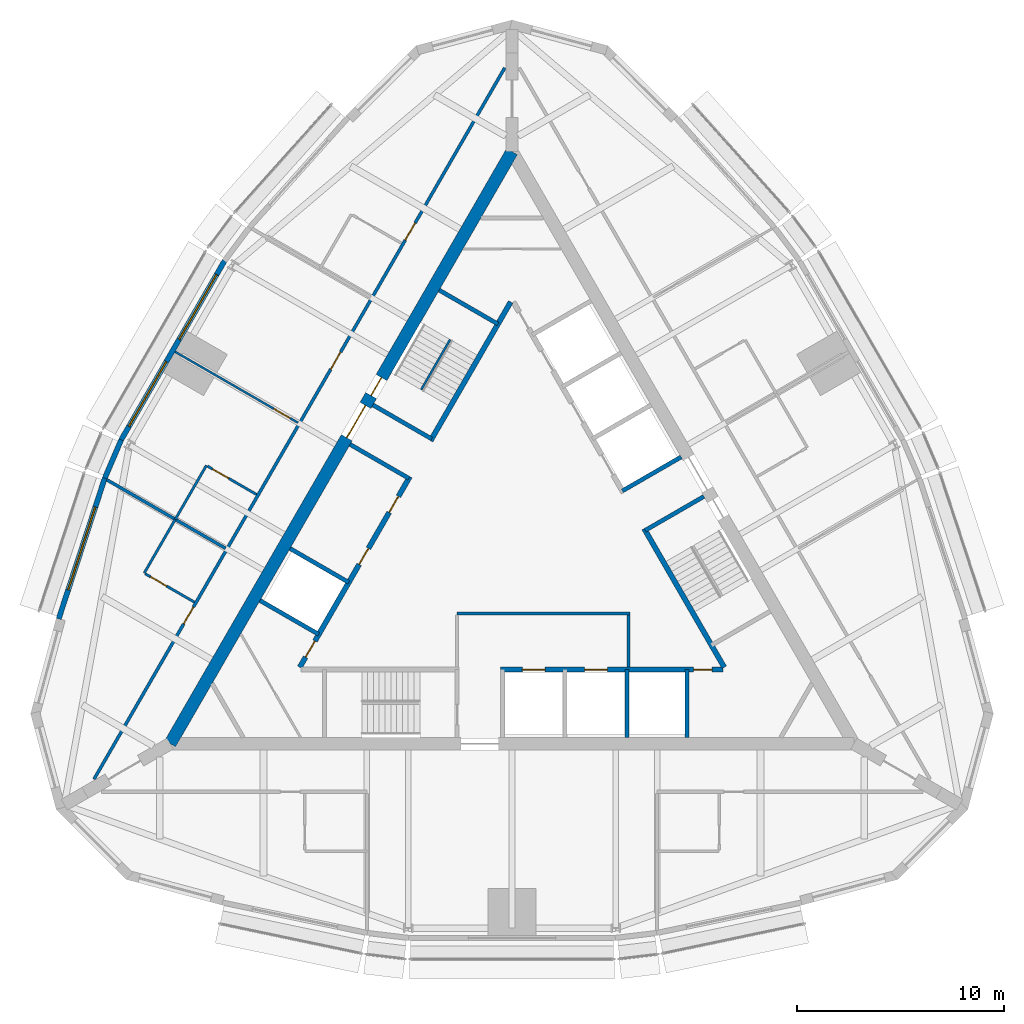
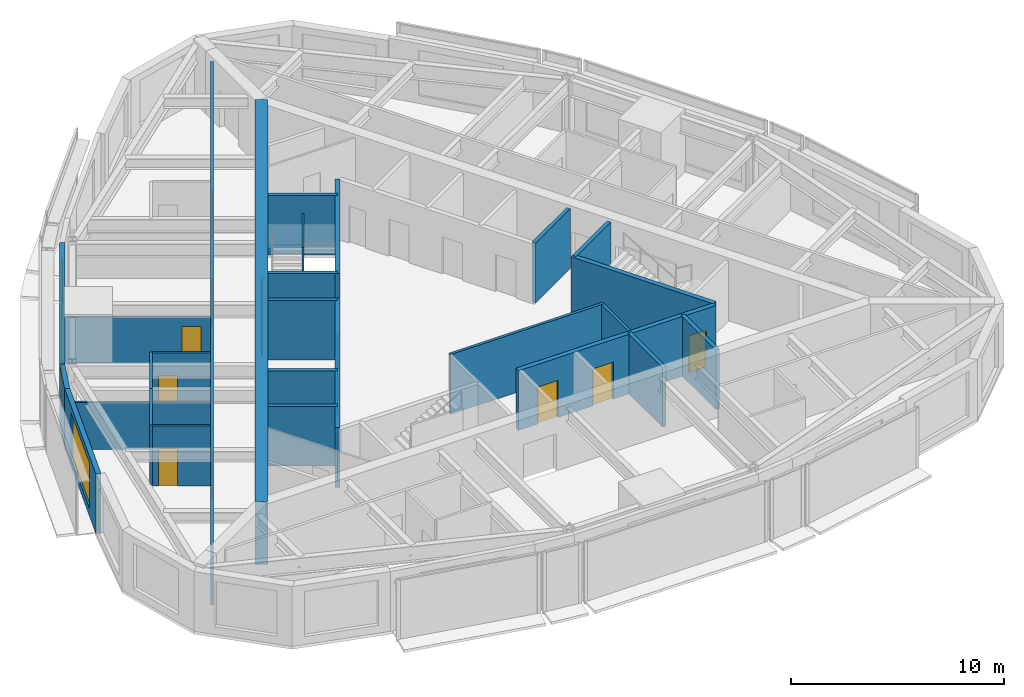
# One storey, part 8 of 12: 27 walls, 14 doors, 3 windows, 17 openings.
"""IFC4 building model written with IfcOpenShell, lengths in metres."""

from ifc_helpers import new_model, si_unit, direction, frame, frame_2d, origin, place, context, subcontext, project, spatial, rectangle, extrude, material, layer, layer_set, type_object, element, fill, save


model = new_model("IFC4")

# Units and contexts
model_context = context("Model", 3, precision=1e-05, world=origin(), true_north=direction((0.0, 1.0)))
body_context = subcontext(model_context, "Body", "Model", "MODEL_VIEW")
ifc_project = project(units=[si_unit("LENGTHUNIT", "METRE"), si_unit("AREAUNIT", "SQUARE_METRE"), si_unit("VOLUMEUNIT", "CUBIC_METRE"), si_unit("PLANEANGLEUNIT", "RADIAN"), si_unit("MASSUNIT", "GRAM", prefix="KILO")], contexts=[model_context])

# Site, building, storey
site_placement = place(None, origin())
site = spatial("IfcSite", under=ifc_project, at=site_placement, CompositionType="ELEMENT")
building_placement = place(site_placement, origin())
building = spatial("IfcBuilding", under=site, at=building_placement, Name="Trikona Tower", CompositionType="ELEMENT")
storey_placement = place(building_placement, frame((0.0, 0.0, 257.300048828125)))
storey = spatial("IfcBuildingStorey", under=building, at=storey_placement, Name="L68", CompositionType="ELEMENT", Elevation=257.300048828125)

# Wall
ifc_material_1 = material(Name="Metal stud and cement board", Category="gypsum")
ifc_layer_1 = layer(ifc_material_1, 0.1201171875)
ifc_layer_set_1 = layer_set([ifc_layer_1], Name="Bathroom wall 120")
wall_type_1 = type_object("IfcWallType", Name="Bathroom wall 120", PredefinedType="PLUMBINGWALL", material=ifc_layer_set_1)
wall_1_placement = place(storey_placement, frame((-14.75341796875, 3.89892578125, 0.0), z_axis=(0.0, 0.0, 1.0), x_axis=(-0.50002537861, -0.866010750942, 0.0)))
element("IfcWall", 1, at=wall_1_placement, inside=storey, type_object=wall_type_1, Name="Bathroom wall 6806.1", PredefinedType="PLUMBINGWALL", context=body_context, shape_type="SweptSolid", body=[
    extrude(rectangle(XDim=2.999755859375, YDim=0.1201171875, at=frame_2d((1.5, 0.0))), origin(), (0.0, 0.0, 1.0), 3.43505859375),
])

# Wall, opening, door
wall_2_placement = place(storey_placement, frame((-12.32861328125, 2.4990234375, 0.0), z_axis=(0.0, 0.0, 1.0), x_axis=(-0.866035715982, 0.499982138324, 0.0)))
wall_2 = element("IfcWall", 2, at=wall_2_placement, inside=storey, type_object=wall_type_1, Name="Bathroom wall 6806.1", PredefinedType="PLUMBINGWALL", context=body_context, shape_type="SweptSolid", body=[
    extrude(rectangle(XDim=2.73974609375, YDim=0.1201171875, at=frame_2d((1.369873046875, 0.0))), origin(), (0.0, 0.0, 1.0), 3.43505859375),
])
opening_1_placement = place(wall_2_placement, frame((1.550048828125, 0.0, 0.0)))
opening_1 = element("IfcOpeningElement", 3, at=opening_1_placement, cuts=wall_2, Name="Opening D2", PredefinedType="OPENING", context=body_context, shape_type="SweptSolid", body=[
    extrude(rectangle(XDim=0.89990234375, YDim=2.1298828125, at=frame_2d((0.449951171875, 1.06494140625))), frame((0.0, 0.070068359375, 0.0), z_axis=(0.0, -1.0, 0.0), x_axis=(1.0, 0.0, 0.0)), (0.0, 0.0, 1.0), 0.14013671875),
])
ifc_material_2 = material(Name="Steel door frame with solid-core timber leaf", Category="steel")
door_type_1 = type_object("IfcDoorType", Name="Bathroom door 900x2130", OperationType="SLIDING_TO_LEFT", PredefinedType="DOOR", material=ifc_material_2)
door_1_placement = place(opening_1_placement, origin())
door_1 = element("IfcDoor", 4, at=door_1_placement, inside=storey, type_object=door_type_1, Name="Bathroom door 6806.1", OperationType="SLIDING_TO_LEFT", OverallHeight=2.1298828125, OverallWidth=0.89990234375, PredefinedType="DOOR", context=body_context, shape_type="SweptSolid", body=[
    extrude(rectangle(XDim=0.89990234375, YDim=2.1298828125, at=frame_2d((0.449951171875, 1.06494140625))), frame((0.0, 0.02490234375, 0.0), z_axis=(0.0, -1.0, 0.0), x_axis=(1.0, 0.0, 0.0)), (0.0, 0.0, 1.0), 0.050048828125),
])
fill(opening_1, door_1)

# Wall
wall_3_placement = place(storey_placement, frame((-16.25341796875, 1.301025390625, 0.0), z_axis=(0.0, 0.0, 1.0), x_axis=(-0.499990139034, -0.866031096941, 0.0)))
element("IfcWall", 5, at=wall_3_placement, inside=storey, type_object=wall_type_1, Name="Bathroom wall 6807", PredefinedType="PLUMBINGWALL", context=body_context, shape_type="SweptSolid", body=[
    extrude(rectangle(XDim=3.0, YDim=0.1201171875, at=frame_2d((1.5, 0.0))), origin(), (0.0, 0.0, 1.0), 3.43505859375),
])

# Wall, opening, door
wall_4_placement = place(storey_placement, frame((-15.32861328125, -2.697021484375, 0.0), z_axis=(0.0, 0.0, 1.0), x_axis=(-0.866035715982, 0.499982138324, 0.0)))
wall_4 = element("IfcWall", 6, at=wall_4_placement, inside=storey, type_object=wall_type_1, Name="Bathroom wall 6807", PredefinedType="PLUMBINGWALL", context=body_context, shape_type="SweptSolid", body=[
    extrude(rectangle(XDim=2.73974609375, YDim=0.1201171875, at=frame_2d((1.369873046875, 0.0))), origin(), (0.0, 0.0, 1.0), 3.43505859375),
])
opening_2_placement = place(wall_4_placement, frame((1.550048828125, 0.0, 0.0)))
opening_2 = element("IfcOpeningElement", 7, at=opening_2_placement, cuts=wall_4, Name="Opening D2", PredefinedType="OPENING", context=body_context, shape_type="SweptSolid", body=[
    extrude(rectangle(XDim=0.89990234375, YDim=2.1298828125, at=frame_2d((0.449951171875, 1.06494140625))), frame((0.0, 0.070068359375, 0.0), z_axis=(0.0, -1.0, 0.0), x_axis=(1.0, 0.0, 0.0)), (0.0, 0.0, 1.0), 0.14013671875),
])
door_2_placement = place(opening_2_placement, origin())
door_2 = element("IfcDoor", 8, at=door_2_placement, inside=storey, type_object=door_type_1, Name="Bathroom door 6807", OperationType="SLIDING_TO_LEFT", OverallHeight=2.1298828125, OverallWidth=0.89990234375, PredefinedType="DOOR", context=body_context, shape_type="SweptSolid", body=[
    extrude(rectangle(XDim=0.89990234375, YDim=2.1298828125, at=frame_2d((0.449951171875, 1.06494140625))), frame((0.0, 0.02490234375, 0.0), z_axis=(0.0, -1.0, 0.0), x_axis=(1.0, 0.0, 0.0)), (0.0, 0.0, 1.0), 0.050048828125),
])
fill(opening_2, door_2)

# Wall, openings, doors
ifc_material_3 = material(Name="Concrete f'c 10000 psi", Category="concrete")
ifc_layer_2 = layer(ifc_material_3, 0.60009765625)
ifc_layer_set_2 = layer_set([ifc_layer_2], Name="Core wall 600")
wall_type_2 = type_object("IfcWallType", Name="Core wall 600", PredefinedType="SHEAR", material=ifc_layer_set_2)
wall_5_placement = place(storey_placement, frame((0.0, 19.052490234375, 0.0), z_axis=(0.0, 0.0, 1.0), x_axis=(-0.499999749417, -0.866025548458, 0.0)))
wall_5 = element("IfcWall", 9, at=wall_5_placement, inside=storey, type_object=wall_type_2, Name="Core wall C", PredefinedType="SHEAR", context=body_context, shape_type="SweptSolid", body=[
    extrude(rectangle(XDim=33.0, YDim=0.60009765625, at=frame_2d((16.5, 0.0))), origin(), (0.0, 0.0, 1.0), 3.599853515625),
])
opening_3_placement = place(wall_5_placement, frame((14.14990234375, 0.0, 0.0)))
opening_3 = element("IfcOpeningElement", 10, at=opening_3_placement, cuts=wall_5, Name="Opening D6", PredefinedType="OPENING", context=body_context, shape_type="SweptSolid", body=[
    extrude(rectangle(XDim=1.800048828125, YDim=2.1298828125, at=frame_2d((0.89990234375, 1.06494140625))), frame((0.0, 0.31005859375, 0.0), z_axis=(0.0, -1.0, 0.0), x_axis=(1.0, 0.0, 0.0)), (0.0, 0.0, 1.0), 0.6201171875),
])
opening_4_placement = place(wall_5_placement, frame((12.60009765625, 0.0, 0.0)))
opening_4 = element("IfcOpeningElement", 11, at=opening_4_placement, cuts=wall_5, Name="Opening D5", PredefinedType="OPENING", context=body_context, shape_type="SweptSolid", body=[
    extrude(rectangle(XDim=1.0, YDim=2.1298828125, at=frame_2d((0.5, 1.06494140625))), frame((0.0, 0.31005859375, 0.0), z_axis=(0.0, -1.0, 0.0), x_axis=(1.0, 0.0, 0.0)), (0.0, 0.0, 1.0), 0.6201171875),
])
ifc_material_4 = material(Name="Hollow metal door and frame", Category="steel")
door_type_2 = type_object("IfcDoorType", Name="Lobby door pair 1800x2130", OperationType="DOUBLE_DOOR_SINGLE_SWING", PredefinedType="DOOR", material=ifc_material_4)
door_3_placement = place(opening_3_placement, origin())
door_3 = element("IfcDoor", 12, at=door_3_placement, inside=storey, type_object=door_type_2, Name="Lift lobby door C", OperationType="DOUBLE_DOOR_SINGLE_SWING", OverallHeight=2.1298828125, OverallWidth=1.800048828125, PredefinedType="DOOR", context=body_context, shape_type="SweptSolid", body=[
    extrude(rectangle(XDim=1.800048828125, YDim=2.1298828125, at=frame_2d((0.89990234375, 1.06494140625))), frame((0.0, 0.02490234375, 0.0), z_axis=(0.0, -1.0, 0.0), x_axis=(1.0, 0.0, 0.0)), (0.0, 0.0, 1.0), 0.050048828125),
])
fill(opening_3, door_3)
ifc_material_5 = material(Name="Hollow metal door and frame", Category="steel")
door_type_3 = type_object("IfcDoorType", Name="Stair door 1000x2130", OperationType="SINGLE_SWING_LEFT", PredefinedType="DOOR", material=ifc_material_5)
door_4_placement = place(opening_4_placement, origin())
door_4 = element("IfcDoor", 13, at=door_4_placement, inside=storey, type_object=door_type_3, Name="Stair C door", OperationType="SINGLE_SWING_RIGHT", OverallHeight=2.1298828125, OverallWidth=1.0, PredefinedType="DOOR", context=body_context, shape_type="SweptSolid", body=[
    extrude(rectangle(XDim=1.0, YDim=2.1298828125, at=frame_2d((0.5, 1.06494140625))), frame((0.0, 0.02490234375, 0.0), z_axis=(0.0, -1.0, 0.0), x_axis=(1.0, 0.0, 0.0)), (0.0, 0.0, 1.0), 0.050048828125),
])
fill(opening_4, door_4)

ifc_material_6 = material(Name="Metal stud and gypsum board, 1-hour", Category="gypsum")
ifc_layer_3 = layer(ifc_material_6, 0.14990234375)
ifc_layer_set_3 = layer_set([ifc_layer_3], Name="Corridor wall 150")
wall_type_3 = type_object("IfcWallType", Name="Corridor wall 150", PredefinedType="PARTITIONING", material=ifc_layer_set_3)
wall_6_placement = place(storey_placement, frame((-0.35009765625, 23.09619140625, 0.0), z_axis=(0.0, 0.0, 1.0), x_axis=(-0.499998875317, -0.866026053119, 0.0)))
wall_6 = element("IfcWall", 14, at=wall_6_placement, inside=storey, type_object=wall_type_3, Name="Corridor wall L68-3", PredefinedType="PARTITIONING", context=body_context, shape_type="SweptSolid", body=[
    extrude(rectangle(XDim=39.65380859375, YDim=0.14990234375, at=frame_2d((19.826904296875, 0.0))), origin(), (0.0, 0.0, 1.0), 3.43505859375),
])
opening_5_placement = place(wall_6_placement, frame((8.652099609375, 0.0, 0.0)))
opening_5 = element("IfcOpeningElement", 15, at=opening_5_placement, cuts=wall_6, Name="Opening D1", PredefinedType="OPENING", context=body_context, shape_type="SweptSolid", body=[
    extrude(rectangle(XDim=0.949951171875, YDim=2.1298828125, at=frame_2d((0.47509765625, 1.06494140625))), frame((0.0, 0.0849609375, 0.0), z_axis=(0.0, -1.0, 0.0), x_axis=(1.0, 0.0, 0.0)), (0.0, 0.0, 1.0), 0.169921875),
])
opening_6_placement = place(wall_6_placement, frame((15.85205078125, 0.0, 0.0)))
opening_6 = element("IfcOpeningElement", 16, at=opening_6_placement, cuts=wall_6, Name="Opening D1", PredefinedType="OPENING", context=body_context, shape_type="SweptSolid", body=[
    extrude(rectangle(XDim=0.949951171875, YDim=2.1298828125, at=frame_2d((0.47509765625, 1.06494140625))), frame((0.0, 0.0849609375, 0.0), z_axis=(0.0, -1.0, 0.0), x_axis=(1.0, 0.0, 0.0)), (0.0, 0.0, 1.0), 0.169921875),
])
opening_7_placement = place(wall_6_placement, frame((30.052001953125, 0.0, 0.0)))
opening_7 = element("IfcOpeningElement", 17, at=opening_7_placement, cuts=wall_6, Name="Opening D1", PredefinedType="OPENING", context=body_context, shape_type="SweptSolid", body=[
    extrude(rectangle(XDim=0.949951171875, YDim=2.1298828125, at=frame_2d((0.47509765625, 1.06494140625))), frame((0.0, 0.0849609375, 0.0), z_axis=(0.0, -1.0, 0.0), x_axis=(1.0, 0.0, 0.0)), (0.0, 0.0, 1.0), 0.169921875),
])
ifc_material_7 = material(Name="Steel door frame with solid-core timber leaf", Category="steel")
door_type_4 = type_object("IfcDoorType", Name="Guest room door 950x2130", OperationType="SINGLE_SWING_LEFT", PredefinedType="DOOR", material=ifc_material_7)
door_5_placement = place(opening_5_placement, origin())
door_5 = element("IfcDoor", 18, at=door_5_placement, inside=storey, type_object=door_type_4, Name="Room door 6805", OperationType="SINGLE_SWING_LEFT", OverallHeight=2.1298828125, OverallWidth=0.949951171875, PredefinedType="DOOR", context=body_context, shape_type="SweptSolid", body=[
    extrude(rectangle(XDim=0.949951171875, YDim=2.1298828125, at=frame_2d((0.47509765625, 1.06494140625))), frame((0.0, 0.02490234375, 0.0), z_axis=(0.0, -1.0, 0.0), x_axis=(1.0, 0.0, 0.0)), (0.0, 0.0, 1.0), 0.050048828125),
])
fill(opening_5, door_5)
door_6_placement = place(opening_6_placement, origin())
door_6 = element("IfcDoor", 19, at=door_6_placement, inside=storey, type_object=door_type_4, Name="Room door 6806", OperationType="SINGLE_SWING_RIGHT", OverallHeight=2.1298828125, OverallWidth=0.949951171875, PredefinedType="DOOR", context=body_context, shape_type="SweptSolid", body=[
    extrude(rectangle(XDim=0.949951171875, YDim=2.1298828125, at=frame_2d((0.47509765625, 1.06494140625))), frame((0.0, 0.02490234375, 0.0), z_axis=(0.0, -1.0, 0.0), x_axis=(1.0, 0.0, 0.0)), (0.0, 0.0, 1.0), 0.050048828125),
])
fill(opening_6, door_6)
door_7_placement = place(opening_7_placement, origin())
door_7 = element("IfcDoor", 20, at=door_7_placement, inside=storey, type_object=door_type_4, Name="Room door 6807", OperationType="SINGLE_SWING_LEFT", OverallHeight=2.1298828125, OverallWidth=0.949951171875, PredefinedType="DOOR", context=body_context, shape_type="SweptSolid", body=[
    extrude(rectangle(XDim=0.949951171875, YDim=2.1298828125, at=frame_2d((0.47509765625, 1.06494140625))), frame((0.0, 0.02490234375, 0.0), z_axis=(0.0, -1.0, 0.0), x_axis=(1.0, 0.0, 0.0)), (0.0, 0.0, 1.0), 0.050048828125),
])
fill(opening_7, door_7)

ifc_material_8 = material(Name="Concrete f'c 8000 psi", Category="concrete")
ifc_layer_4 = layer(ifc_material_8, 0.25)
ifc_layer_set_4 = layer_set([ifc_layer_4], Name="Hub wall 250")
wall_type_4 = type_object("IfcWallType", Name="Hub wall 250", PredefinedType="SOLIDWALL", material=ifc_layer_set_4)
wall_7_placement = place(storey_placement, frame((-0.550048828125, -5.951416015625, 0.0), z_axis=(0.0, 0.0, 1.0), x_axis=(1.0, 0.0, 0.0)))
wall_7 = element("IfcWall", 21, at=wall_7_placement, inside=storey, type_object=wall_type_4, Name="Lift lobby wall A2", PredefinedType="SOLIDWALL", context=body_context, shape_type="SweptSolid", body=[
    extrude(rectangle(XDim=10.73291015625, YDim=0.25, at=frame_2d((5.366455078125, 0.0))), origin(), (0.0, 0.0, 1.0), 3.43505859375),
])
opening_8_placement = place(wall_7_placement, frame((9.31396484375, 0.0, 0.0)))
opening_8 = element("IfcOpeningElement", 22, at=opening_8_placement, cuts=wall_7, Name="Opening D14", PredefinedType="OPENING", context=body_context, shape_type="SweptSolid", body=[
    extrude(rectangle(XDim=0.89990234375, YDim=2.1298828125, at=frame_2d((0.449951171875, 1.06494140625))), frame((0.0, 0.135009765625, 0.0), z_axis=(0.0, -1.0, 0.0), x_axis=(1.0, 0.0, 0.0)), (0.0, 0.0, 1.0), 0.27001953125),
])
opening_9_placement = place(wall_7_placement, frame((1.050048828125, 0.0, 0.0)))
opening_9 = element("IfcOpeningElement", 23, at=opening_9_placement, cuts=wall_7, Name="Opening LD", PredefinedType="OPENING", context=body_context, shape_type="SweptSolid", body=[
    extrude(rectangle(XDim=1.10009765625, YDim=2.1298828125, at=frame_2d((0.550048828125, 1.06494140625))), frame((0.0, 0.135009765625, 0.0), z_axis=(0.0, -1.0, 0.0), x_axis=(1.0, 0.0, 0.0)), (0.0, 0.0, 1.0), 0.27001953125),
])
opening_10_placement = place(wall_7_placement, frame((4.050048828125, 0.0, 0.0)))
opening_10 = element("IfcOpeningElement", 24, at=opening_10_placement, cuts=wall_7, Name="Opening LD", PredefinedType="OPENING", context=body_context, shape_type="SweptSolid", body=[
    extrude(rectangle(XDim=1.10009765625, YDim=2.1298828125, at=frame_2d((0.550048828125, 1.06494140625))), frame((0.0, 0.135009765625, 0.0), z_axis=(0.0, -1.0, 0.0), x_axis=(1.0, 0.0, 0.0)), (0.0, 0.0, 1.0), 0.27001953125),
])
ifc_material_9 = material(Name="Stainless steel lift landing door", Category="steel")
door_type_5 = type_object("IfcDoorType", Name="Lift landing door 1100x2130", OperationType="DOUBLE_DOOR_SLIDING", PredefinedType="USERDEFINED", material=ifc_material_9)
door_8_placement = place(opening_9_placement, origin())
door_8 = element("IfcDoor", 25, at=door_8_placement, inside=storey, type_object=door_type_5, Name="Lift landing door FF1", ObjectType="LIFT LANDING DOOR", OperationType="DOUBLE_DOOR_SLIDING", OverallHeight=2.1298828125, OverallWidth=1.10009765625, PredefinedType="USERDEFINED", context=body_context, shape_type="SweptSolid", body=[
    extrude(rectangle(XDim=1.10009765625, YDim=2.1298828125, at=frame_2d((0.550048828125, 1.06494140625))), frame((0.0, 0.02490234375, 0.0), z_axis=(0.0, -1.0, 0.0), x_axis=(1.0, 0.0, 0.0)), (0.0, 0.0, 1.0), 0.050048828125),
])
fill(opening_9, door_8)
door_9_placement = place(opening_10_placement, origin())
door_9 = element("IfcDoor", 26, at=door_9_placement, inside=storey, type_object=door_type_5, Name="Lift landing door FF2", ObjectType="LIFT LANDING DOOR", OperationType="DOUBLE_DOOR_SLIDING", OverallHeight=2.1298828125, OverallWidth=1.10009765625, PredefinedType="USERDEFINED", context=body_context, shape_type="SweptSolid", body=[
    extrude(rectangle(XDim=1.10009765625, YDim=2.1298828125, at=frame_2d((0.550048828125, 1.06494140625))), frame((0.0, 0.02490234375, 0.0), z_axis=(0.0, -1.0, 0.0), x_axis=(1.0, 0.0, 0.0)), (0.0, 0.0, 1.0), 0.050048828125),
])
fill(opening_10, door_9)
ifc_material_10 = material(Name="Hollow metal door and frame", Category="steel")
door_type_6 = type_object("IfcDoorType", Name="Service room door 900x2130", OperationType="SINGLE_SWING_LEFT", PredefinedType="DOOR", material=ifc_material_10)
door_10_placement = place(opening_8_placement, origin())
door_10 = element("IfcDoor", 27, at=door_10_placement, inside=storey, type_object=door_type_6, Name="Door Ice and vending ICE", OperationType="SINGLE_SWING_RIGHT", OverallHeight=2.1298828125, OverallWidth=0.89990234375, PredefinedType="DOOR", context=body_context, shape_type="SweptSolid", body=[
    extrude(rectangle(XDim=0.89990234375, YDim=2.1298828125, at=frame_2d((0.449951171875, 1.06494140625))), frame((0.0, 0.02490234375, 0.0), z_axis=(0.0, -1.0, 0.0), x_axis=(1.0, 0.0, 0.0)), (0.0, 0.0, 1.0), 0.050048828125),
])
fill(opening_8, door_10)

# Walls
for number, where, z_axis, x_axis, name in (
    (28, (10.245361328125, -5.843017578125, 0.0), (0.0, 0.0, 1.0), (-0.499993009313, 0.866029439822, 0.0), "Lift lobby wall B1"),
    (29, (-0.0625, 11.794189453125, 0.0), (0.0, 0.0, 1.0), (-0.500006680225, -0.86602154692, 0.0), "Lift lobby wall C1"),
):
    element("IfcWall", number, at=place(storey_placement, frame(where, z_axis=z_axis, x_axis=x_axis)), inside=storey, type_object=wall_type_4, Name=name, PredefinedType="SOLIDWALL", context=body_context, shape_type="SweptSolid", body=[
        extrude(rectangle(XDim=7.73291015625, YDim=0.25, at=frame_2d((3.866455078125, 0.0))), origin(), (0.0, 0.0, 1.0), 3.43505859375),
    ])

# Wall, openings, doors
wall_8_placement = place(storey_placement, frame((-4.928955078125, 3.365478515625, 0.0), z_axis=(0.0, 0.0, 1.0), x_axis=(-0.499991433582, -0.866030349552, 0.0)))
wall_8 = element("IfcWall", 30, at=wall_8_placement, inside=storey, type_object=wall_type_4, Name="Lift lobby wall C2", PredefinedType="SOLIDWALL", context=body_context, shape_type="SweptSolid", body=[
    extrude(rectangle(XDim=10.633056640625, YDim=0.25, at=frame_2d((5.31640625, 0.0))), origin(), (0.0, 0.0, 1.0), 3.43505859375),
])
opening_11_placement = place(wall_8_placement, frame((9.1640625, 0.0, 0.0)))
opening_11 = element("IfcOpeningElement", 31, at=opening_11_placement, cuts=wall_8, Name="Opening D14", PredefinedType="OPENING", context=body_context, shape_type="SweptSolid", body=[
    extrude(rectangle(XDim=0.89990234375, YDim=2.1298828125, at=frame_2d((0.449951171875, 1.06494140625))), frame((0.0, 0.135009765625, 0.0), z_axis=(0.0, -1.0, 0.0), x_axis=(1.0, 0.0, 0.0)), (0.0, 0.0, 1.0), 0.27001953125),
])
opening_12_placement = place(wall_8_placement, frame((1.10009765625, 0.0, 0.0)))
opening_12 = element("IfcOpeningElement", 32, at=opening_12_placement, cuts=wall_8, Name="Opening D14", PredefinedType="OPENING", context=body_context, shape_type="SweptSolid", body=[
    extrude(rectangle(XDim=0.89990234375, YDim=2.1298828125, at=frame_2d((0.449951171875, 1.06494140625))), frame((0.0, 0.135009765625, 0.0), z_axis=(0.0, -1.0, 0.0), x_axis=(1.0, 0.0, 0.0)), (0.0, 0.0, 1.0), 0.27001953125),
])
opening_13_placement = place(wall_8_placement, frame((4.0, 0.0, 0.0)))
opening_13 = element("IfcOpeningElement", 33, at=opening_13_placement, cuts=wall_8, Name="Opening D14", PredefinedType="OPENING", context=body_context, shape_type="SweptSolid", body=[
    extrude(rectangle(XDim=0.89990234375, YDim=2.1298828125, at=frame_2d((0.449951171875, 1.06494140625))), frame((0.0, 0.135009765625, 0.0), z_axis=(0.0, -1.0, 0.0), x_axis=(1.0, 0.0, 0.0)), (0.0, 0.0, 1.0), 0.27001953125),
])
door_11_placement = place(opening_11_placement, origin())
door_11 = element("IfcDoor", 34, at=door_11_placement, inside=storey, type_object=door_type_6, Name="Door Housekeeping store HKS", OperationType="SINGLE_SWING_RIGHT", OverallHeight=2.1298828125, OverallWidth=0.89990234375, PredefinedType="DOOR", context=body_context, shape_type="SweptSolid", body=[
    extrude(rectangle(XDim=0.89990234375, YDim=2.1298828125, at=frame_2d((0.449951171875, 1.06494140625))), frame((0.0, 0.02490234375, 0.0), z_axis=(0.0, -1.0, 0.0), x_axis=(1.0, 0.0, 0.0)), (0.0, 0.0, 1.0), 0.050048828125),
])
fill(opening_11, door_11)
door_12_placement = place(opening_12_placement, origin())
door_12 = element("IfcDoor", 35, at=door_12_placement, inside=storey, type_object=door_type_6, Name="Door IT and communications room ITC1", OperationType="SINGLE_SWING_LEFT", OverallHeight=2.1298828125, OverallWidth=0.89990234375, PredefinedType="DOOR", context=body_context, shape_type="SweptSolid", body=[
    extrude(rectangle(XDim=0.89990234375, YDim=2.1298828125, at=frame_2d((0.449951171875, 1.06494140625))), frame((0.0, 0.02490234375, 0.0), z_axis=(0.0, -1.0, 0.0), x_axis=(1.0, 0.0, 0.0)), (0.0, 0.0, 1.0), 0.050048828125),
])
fill(opening_12, door_12)
door_13_placement = place(opening_13_placement, origin())
door_13 = element("IfcDoor", 36, at=door_13_placement, inside=storey, type_object=door_type_6, Name="Door IT and communications room ITC1", OperationType="SINGLE_SWING_RIGHT", OverallHeight=2.1298828125, OverallWidth=0.89990234375, PredefinedType="DOOR", context=body_context, shape_type="SweptSolid", body=[
    extrude(rectangle(XDim=0.89990234375, YDim=2.1298828125, at=frame_2d((0.449951171875, 1.06494140625))), frame((0.0, 0.02490234375, 0.0), z_axis=(0.0, -1.0, 0.0), x_axis=(1.0, 0.0, 0.0)), (0.0, 0.0, 1.0), 0.050048828125),
])
fill(opening_13, door_13)

# Wall, openings, windows
ifc_material_11 = material(Name="Insulated precast concrete spandrel panel", Category="concrete")
ifc_layer_5 = layer(ifc_material_11, 0.25)
ifc_layer_set_5 = layer_set([ifc_layer_5], Name="Inner skin wall 250")
wall_type_5 = type_object("IfcWallType", Name="Inner skin wall 250", PredefinedType="STANDARD", material=ifc_layer_set_5)
wall_9_placement = place(storey_placement, frame((-13.87255859375, 13.782958984375, 0.0), z_axis=(0.0, 0.0, 1.0), x_axis=(-0.499993662806, -0.866029062534, 0.0)))
wall_9 = element("IfcWall", 37, at=wall_9_placement, inside=storey, type_object=wall_type_5, Name="External wall L68-20", PredefinedType="STANDARD", context=body_context, shape_type="SweptSolid", body=[
    extrude(rectangle(XDim=10.000244140625, YDim=0.25, at=frame_2d((5.0, 0.0))), origin(), (0.0, 0.0, 1.0), 3.43505859375),
])
opening_14_placement = place(wall_9_placement, frame((0.77490234375, 0.0, 0.449951171875)))
opening_14 = element("IfcOpeningElement", 38, at=opening_14_placement, cuts=wall_9, Name="Opening W3626", PredefinedType="OPENING", context=body_context, shape_type="SweptSolid", body=[
    extrude(rectangle(XDim=3.60009765625, YDim=2.60009765625, at=frame_2d((1.800048828125, 1.300048828125))), frame((0.0, 0.135009765625, 0.0), z_axis=(0.0, -1.0, 0.0), x_axis=(1.0, 0.0, 0.0)), (0.0, 0.0, 1.0), 0.27001953125),
])
opening_15_placement = place(wall_9_placement, frame((5.625, 0.0, 0.449951171875)))
opening_15 = element("IfcOpeningElement", 39, at=opening_15_placement, cuts=wall_9, Name="Opening W3626", PredefinedType="OPENING", context=body_context, shape_type="SweptSolid", body=[
    extrude(rectangle(XDim=3.60009765625, YDim=2.60009765625, at=frame_2d((1.800048828125, 1.300048828125))), frame((0.0, 0.135009765625, 0.0), z_axis=(0.0, -1.0, 0.0), x_axis=(1.0, 0.0, 0.0)), (0.0, 0.0, 1.0), 0.27001953125),
])
ifc_material_12 = material(Name="Aluminium-framed double glazing", Category="aluminium")
window_type_1 = type_object("IfcWindowType", Name="Window 3600x2600", PartitioningType="SINGLE_PANEL", PredefinedType="WINDOW", material=ifc_material_12)
window_1_placement = place(opening_14_placement, origin())
window_1 = element("IfcWindow", 40, at=window_1_placement, inside=storey, type_object=window_type_1, Name="Window 6806", OverallHeight=2.60009765625, OverallWidth=3.60009765625, PartitioningType="SINGLE_PANEL", PredefinedType="WINDOW", context=body_context, shape_type="SweptSolid", body=[
    extrude(rectangle(XDim=3.60009765625, YDim=2.60009765625, at=frame_2d((1.800048828125, 1.300048828125))), frame((0.0, 0.030029296875, 0.0), z_axis=(0.0, -1.0, 0.0), x_axis=(1.0, 0.0, 0.0)), (0.0, 0.0, 1.0), 0.06005859375),
])
fill(opening_14, window_1)
window_2_placement = place(opening_15_placement, origin())
window_2 = element("IfcWindow", 41, at=window_2_placement, inside=storey, type_object=window_type_1, Name="Window 6806.1", OverallHeight=2.60009765625, OverallWidth=3.60009765625, PartitioningType="SINGLE_PANEL", PredefinedType="WINDOW", context=body_context, shape_type="SweptSolid", body=[
    extrude(rectangle(XDim=3.60009765625, YDim=2.60009765625, at=frame_2d((1.800048828125, 1.300048828125))), frame((0.0, 0.030029296875, 0.0), z_axis=(0.0, -1.0, 0.0), x_axis=(1.0, 0.0, 0.0)), (0.0, 0.0, 1.0), 0.06005859375),
])
fill(opening_15, window_2)

# Wall
wall_10_placement = place(storey_placement, frame((-18.865966796875, 5.135986328125, 0.0), z_axis=(0.0, 0.0, 1.0), x_axis=(-0.393290226175, -0.91941437774, 0.0)))
element("IfcWall", 42, at=wall_10_placement, inside=storey, type_object=wall_type_5, Name="External wall L68-21", PredefinedType="STANDARD", context=body_context, shape_type="SweptSolid", body=[
    extrude(rectangle(XDim=2.014404296875, YDim=0.25, at=frame_2d((1.00732421875, 0.0))), origin(), (0.0, 0.0, 1.0), 3.43505859375),
])

# Wall, opening, window
wall_11_placement = place(storey_placement, frame((-19.654296875, 3.294189453125, 0.0), z_axis=(0.0, 0.0, 1.0), x_axis=(-0.311328857048, -0.95030223759, 0.0)))
wall_11 = element("IfcWall", 43, at=wall_11_placement, inside=storey, type_object=wall_type_5, Name="External wall L68-22", PredefinedType="STANDARD", context=body_context, shape_type="SweptSolid", body=[
    extrude(rectangle(XDim=7.152587890625, YDim=0.25, at=frame_2d((3.576171875, 0.0))), origin(), (0.0, 0.0, 1.0), 3.43505859375),
])
opening_16_placement = place(wall_11_placement, frame((1.476318359375, 0.0, 0.449951171875)))
opening_16 = element("IfcOpeningElement", 44, at=opening_16_placement, cuts=wall_11, Name="Opening W4226", PredefinedType="OPENING", context=body_context, shape_type="SweptSolid", body=[
    extrude(rectangle(XDim=4.199951171875, YDim=2.60009765625, at=frame_2d((2.10009765625, 1.300048828125))), frame((0.0, 0.135009765625, 0.0), z_axis=(0.0, -1.0, 0.0), x_axis=(1.0, 0.0, 0.0)), (0.0, 0.0, 1.0), 0.27001953125),
])
ifc_material_13 = material(Name="Aluminium-framed double glazing", Category="aluminium")
window_type_2 = type_object("IfcWindowType", Name="Window 4200x2600", PartitioningType="SINGLE_PANEL", PredefinedType="WINDOW", material=ifc_material_13)
window_3_placement = place(opening_16_placement, origin())
window_3 = element("IfcWindow", 45, at=window_3_placement, inside=storey, type_object=window_type_2, Name="Window 6807", OverallHeight=2.60009765625, OverallWidth=4.199951171875, PartitioningType="SINGLE_PANEL", PredefinedType="WINDOW", context=body_context, shape_type="SweptSolid", body=[
    extrude(rectangle(XDim=4.199951171875, YDim=2.60009765625, at=frame_2d((2.10009765625, 1.300048828125))), frame((0.0, 0.030029296875, 0.0), z_axis=(0.0, -1.0, 0.0), x_axis=(1.0, 0.0, 0.0)), (0.0, 0.0, 1.0), 0.06005859375),
])
fill(opening_16, window_3)

# Walls
ifc_material_14 = material(Name="Metal stud and gypsum board, 2-hour shaft wall", Category="gypsum")
ifc_layer_6 = layer(ifc_material_14, 0.14990234375)
ifc_layer_set_6 = layer_set([ifc_layer_6], Name="Lobby wall 150")
wall_type_6 = type_object("IfcWallType", Name="Lobby wall 150", PredefinedType="PARTITIONING", material=ifc_layer_set_6)
wall_12_placement = place(storey_placement, frame((-2.64990234375, -3.251220703125, 0.0), z_axis=(0.0, 0.0, 1.0), x_axis=(1.0, 0.0, 0.0)))
element("IfcWall", 46, at=wall_12_placement, inside=storey, type_object=wall_type_6, Name="Fire service lift lobby wall 1", PredefinedType="PARTITIONING", context=body_context, shape_type="SweptSolid", body=[
    extrude(rectangle(XDim=8.349853515625, YDim=0.14990234375, at=frame_2d((4.1748046875, 0.0))), origin(), (0.0, 0.0, 1.0), 3.43505859375),
])
wall_13_placement = place(storey_placement, frame((5.625, -5.826416015625, 0.0), z_axis=(0.0, 0.0, 1.0), x_axis=(0.0, 1.0, 0.0)))
element("IfcWall", 47, at=wall_13_placement, inside=storey, type_object=wall_type_6, Name="Fire service lift lobby wall 3", PredefinedType="PARTITIONING", context=body_context, shape_type="SweptSolid", body=[
    extrude(rectangle(XDim=2.5, YDim=0.14990234375, at=frame_2d((1.25, 0.0))), origin(), (0.0, 0.0, 1.0), 3.43505859375),
])
ifc_material_15 = material(Name="Metal stud and gypsum board, 1-hour acoustic", Category="gypsum")
ifc_layer_7 = layer(ifc_material_15, 0.14990234375)
ifc_layer_set_7 = layer_set([ifc_layer_7], Name="Party wall 150")
wall_type_7 = type_object("IfcWallType", Name="Party wall 150", PredefinedType="PARTITIONING", material=ifc_layer_set_7)
wall_14_placement = place(storey_placement, frame((-13.82861328125, -0.09912109375, 0.0), z_axis=(0.0, 0.0, 1.0), x_axis=(-0.866022562216, 0.500004921708, 0.0)))
element("IfcWall", 48, at=wall_14_placement, inside=storey, type_object=wall_type_7, Name="Partition L68 F3 u7", PredefinedType="PARTITIONING", context=body_context, shape_type="SweptSolid", body=[
    extrude(rectangle(XDim=6.60888671875, YDim=0.14990234375, at=frame_2d((3.304443359375, 0.0))), origin(), (0.0, 0.0, 1.0), 2.677978515625),
])
ifc_material_16 = material(Name="Concrete f'c 8000 psi", Category="concrete")
ifc_layer_8 = layer(ifc_material_16, 0.199951171875)
ifc_layer_set_8 = layer_set([ifc_layer_8], Name="Shaft wall 200")
wall_type_8 = type_object("IfcWallType", Name="Shaft wall 200", PredefinedType="SOLIDWALL", material=ifc_layer_set_8)
for number, where, z_axis, x_axis, name in (
    (49, (5.550048828125, -5.951416015625, 0.0), (0.0, 0.0, 1.0), (0.0, -1.0, 0.0), "Shaft wall A5"),
    (50, (8.449951171875, -5.951416015625, 0.0), (0.0, 0.0, 1.0), (0.0, -1.0, 0.0), "Shaft wall A6"),
    (51, (5.3291015625, 2.672607421875, 0.0), (0.0, 0.0, 1.0), (0.866027924134, 0.499995634601, 0.0), "Shaft wall B3"),
    (52, (-4.97900390625, 3.27880859375, 0.0), (0.0, 0.0, 1.0), (-0.866027924134, 0.499995634601, 0.0), "Shaft wall C3"),
    (53, (-7.87890625, -1.744140625, 0.0), (0.0, 0.0, 1.0), (-0.866027924134, 0.499995634601, 0.0), "Shaft wall C5"),
    (54, (-9.3291015625, -4.255615234375, 0.0), (0.0, 0.0, 1.0), (-0.866027924134, 0.499995634601, 0.0), "Shaft wall C6"),
):
    element("IfcWall", number, at=place(storey_placement, frame(where, z_axis=z_axis, x_axis=x_axis)), inside=storey, type_object=wall_type_8, Name=name, PredefinedType="SOLIDWALL", context=body_context, shape_type="SweptSolid", body=[
        extrude(rectangle(XDim=3.27490234375, YDim=0.199951171875, at=frame_2d((1.637451171875, 0.0))), origin(), (0.0, 0.0, 1.0), 3.43505859375),
    ])
ifc_material_17 = material(Name="Concrete f'c 8000 psi", Category="concrete")
ifc_layer_9 = layer(ifc_material_17, 0.199951171875)
ifc_layer_set_9 = layer_set([ifc_layer_9], Name="Shaft wall 200 load-bearing")
wall_type_9 = type_object("IfcWallType", Name="Shaft wall 200 load-bearing", PredefinedType="SOLIDWALL", material=ifc_layer_set_9)
for number, where, z_axis, x_axis, name in (
    (55, (6.428955078125, 0.767333984375, 0.0), (0.0, 0.0, 1.0), (0.866027924134, 0.499995634601, 0.0), "Shaft wall B2"),
    (56, (-0.678955078125, 10.7265625, 0.0), (0.0, 0.0, 1.0), (-0.866027924134, 0.499995634601, 0.0), "Shaft wall C1"),
    (57, (-3.87890625, 5.18408203125, 0.0), (0.0, 0.0, 1.0), (-0.866027924134, 0.499995634601, 0.0), "Shaft wall C2"),
):
    element("IfcWall", number, at=place(storey_placement, frame(where, z_axis=z_axis, x_axis=x_axis)), inside=storey, type_object=wall_type_9, Name=name, PredefinedType="SOLIDWALL", context=body_context, shape_type="SweptSolid", body=[
        extrude(rectangle(XDim=3.27490234375, YDim=0.199951171875, at=frame_2d((1.637451171875, 0.0))), origin(), (0.0, 0.0, 1.0), 3.43505859375),
    ])
ifc_material_18 = material(Name="Concrete f'c 5000 psi", Category="concrete")
ifc_layer_10 = layer(ifc_material_18, 0.10009765625)
ifc_layer_set_10 = layer_set([ifc_layer_10], Name="Stair spine wall 100")
wall_type_10 = type_object("IfcWallType", Name="Stair spine wall 100", PredefinedType="SOLIDWALL", material=ifc_layer_set_10)
wall_15_placement = place(storey_placement, frame((-2.98779296875, 9.9775390625, 0.0), z_axis=(0.0, 0.0, 1.0), x_axis=(-0.499992232847, -0.866029888106, 0.0)))
element("IfcWall", 58, at=wall_15_placement, inside=storey, type_object=wall_type_10, Name="Stair C spine wall L68", PredefinedType="SOLIDWALL", context=body_context, shape_type="SweptSolid", body=[
    extrude(rectangle(XDim=2.7939453125, YDim=0.10009765625, at=frame_2d((1.39697265625, 0.0))), origin(), (0.0, 0.0, 1.0), 3.599853515625),
])

# Wall, opening, door
ifc_material_19 = material(Name="Metal stud and gypsum board, acoustic", Category="gypsum")
ifc_layer_11 = layer(ifc_material_19, 0.10009765625)
ifc_layer_set_11 = layer_set([ifc_layer_11], Name="Suite partition 100")
wall_type_11 = type_object("IfcWallType", Name="Suite partition 100", PredefinedType="PARTITIONING", material=ifc_layer_set_11)
wall_16_placement = place(storey_placement, frame((-10.32861328125, 5.963134765625, 0.0), z_axis=(0.0, 0.0, 1.0), x_axis=(-0.866011785882, 0.500023586156, 0.0)))
wall_16 = element("IfcWall", 59, at=wall_16_placement, inside=storey, type_object=wall_type_11, Name="Suite partition L68 F3 u0", PredefinedType="PARTITIONING", context=body_context, shape_type="SweptSolid", body=[
    extrude(rectangle(XDim=6.854248046875, YDim=0.10009765625, at=frame_2d((3.42724609375, 0.0))), origin(), (0.0, 0.0, 1.0), 2.677978515625),
])
opening_17_placement = place(wall_16_placement, frame((0.449951171875, 0.0, 0.0)))
opening_17 = element("IfcOpeningElement", 60, at=opening_17_placement, cuts=wall_16, Name="Opening D13", PredefinedType="OPENING", context=body_context, shape_type="SweptSolid", body=[
    extrude(rectangle(XDim=0.89990234375, YDim=2.1298828125, at=frame_2d((0.449951171875, 1.06494140625))), frame((0.0, 0.06005859375, 0.0), z_axis=(0.0, -1.0, 0.0), x_axis=(1.0, 0.0, 0.0)), (0.0, 0.0, 1.0), 0.1201171875),
])
ifc_material_20 = material(Name="Steel door frame with solid-core timber leaf", Category="steel")
door_type_7 = type_object("IfcDoorType", Name="Suite door 900x2130", OperationType="SINGLE_SWING_LEFT", PredefinedType="DOOR", material=ifc_material_20)
door_14_placement = place(opening_17_placement, origin())
door_14 = element("IfcDoor", 61, at=door_14_placement, inside=storey, type_object=door_type_7, Name="Suite door 6806", OperationType="SINGLE_SWING_LEFT", OverallHeight=2.1298828125, OverallWidth=0.89990234375, PredefinedType="DOOR", context=body_context, shape_type="SweptSolid", body=[
    extrude(rectangle(XDim=0.89990234375, YDim=2.1298828125, at=frame_2d((0.449951171875, 1.06494140625))), frame((0.0, 0.02490234375, 0.0), z_axis=(0.0, -1.0, 0.0), x_axis=(1.0, 0.0, 0.0)), (0.0, 0.0, 1.0), 0.050048828125),
])
fill(opening_17, door_14)

save(model, "model.ifc")
